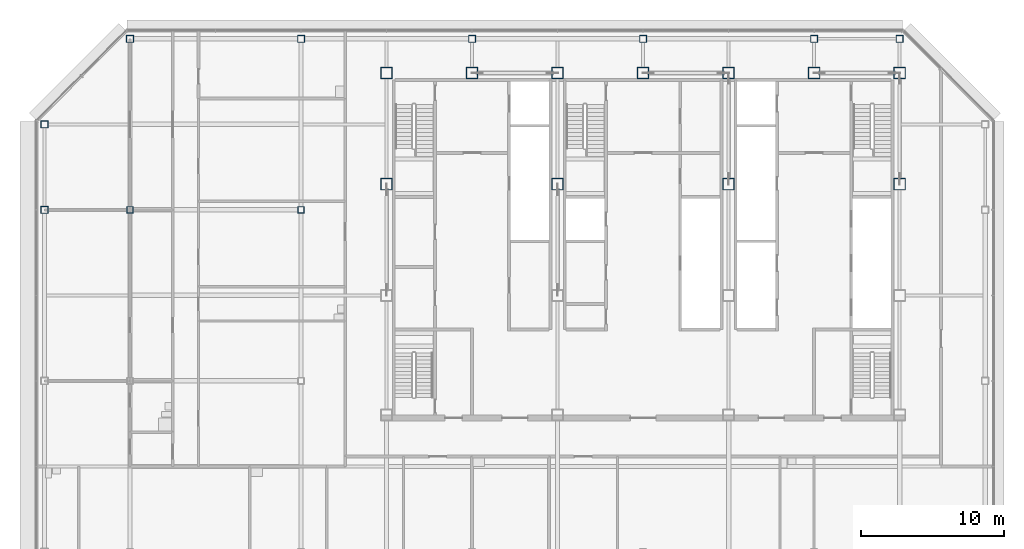
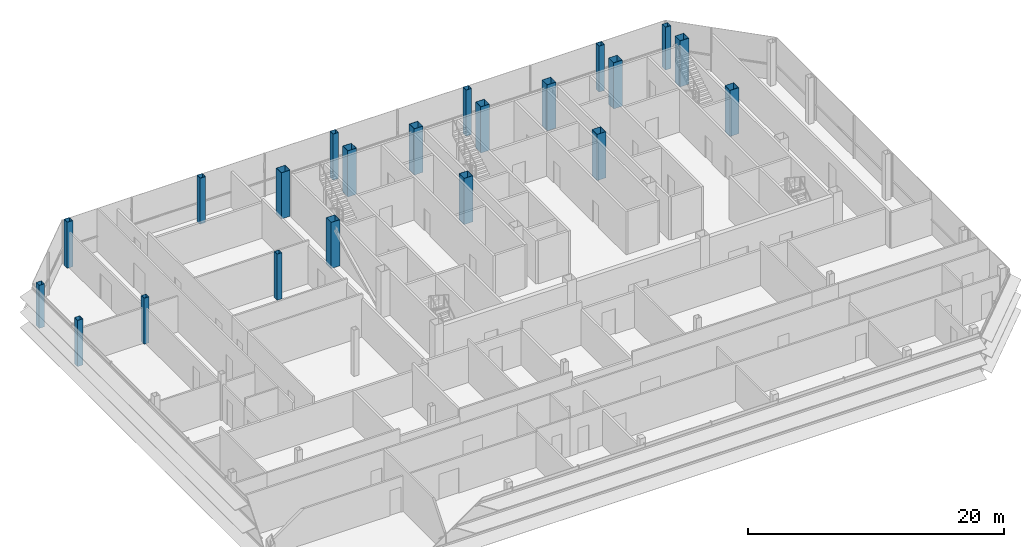
# One storey, part 2 of 29: 21 columns.
"""IFC4 building model written with IfcOpenShell, lengths in metres."""

from ifc_helpers import new_model, si_unit, direction, frame, origin, origin_2d, place, context, subcontext, project, spatial, hollow_rectangle, extrude, material, material_profile, profile_set, type_object, element, save


model = new_model("IFC4")

# Units and contexts
model_context = context("Model", 3, precision=1e-05, world=origin(), true_north=direction((0.0, 1.0)))
body_context = subcontext(model_context, "Body", "Model", "MODEL_VIEW")
ifc_project = project(units=[si_unit("LENGTHUNIT", "METRE"), si_unit("AREAUNIT", "SQUARE_METRE"), si_unit("VOLUMEUNIT", "CUBIC_METRE"), si_unit("PLANEANGLEUNIT", "RADIAN"), si_unit("MASSUNIT", "GRAM", prefix="KILO")], contexts=[model_context])

# Site, building, storey
site_placement = place(None, origin())
site = spatial("IfcSite", under=ifc_project, at=site_placement, CompositionType="ELEMENT")
building_placement = place(site_placement, origin())
building = spatial("IfcBuilding", under=site, at=building_placement, Name="Sorahane Residences", CompositionType="ELEMENT")
storey_placement = place(building_placement, frame((0.0, 0.0, 326.800048828125)))
storey = spatial("IfcBuildingStorey", under=building, at=storey_placement, Name="L78", CompositionType="ELEMENT", Elevation=326.800048828125)

# Columns
ifc_material_1 = material(Name="Steel Q355B", Category="steel")
ifc_material_profile_1 = material_profile(ifc_material_1, hollow_rectangle(XDim=0.449951171875, YDim=0.449951171875, WallThickness=0.02197265625, at=origin_2d()), Name="BOX 450x450x22")
ifc_profile_set_1 = profile_set([ifc_material_profile_1], Name="Steel Q355B")
column_type_1 = type_object("IfcColumnType", Name="Steel box column BOX 450x450x22 Q355B", PredefinedType="COLUMN", material=ifc_profile_set_1)
for number, where, z_axis, x_axis, name in (
    (1, (-12.0, 36.0, 0.0), (0.0, 0.0, 1.0), (1.0, 0.0, 0.0), "Column L78 m12/36"),
    (2, (0.0, 36.0, 0.0), (0.0, 0.0, 1.0), (1.0, 0.0, 0.0), "Column L78 0/36"),
):
    element("IfcColumn", number, at=place(storey_placement, frame(where, z_axis=z_axis, x_axis=x_axis)), inside=storey, type_object=column_type_1, Name=name, PredefinedType="COLUMN", context=body_context, shape_type="SweptSolid", body=[
        extrude(hollow_rectangle(XDim=0.449951171875, YDim=0.449951171875, WallThickness=0.02197265625, at=origin_2d()), origin(), (0.0, 0.0, 1.0), 4.39990234375),
    ])
ifc_material_2 = material(Name="Steel Q355B", Category="steel")
ifc_material_profile_2 = material_profile(ifc_material_2, hollow_rectangle(XDim=0.5, YDim=0.5, WallThickness=0.02490234375, at=origin_2d()), Name="BOX 500x500x25")
ifc_profile_set_2 = profile_set([ifc_material_profile_2], Name="Steel Q355B")
column_type_2 = type_object("IfcColumnType", Name="Steel box column BOX 500x500x25 Q355B", PredefinedType="COLUMN", material=ifc_profile_set_2)
column_1_placement = place(storey_placement, frame((-18.0, 36.0, 0.0), z_axis=(0.0, 0.0, 1.0), x_axis=(1.0, 0.0, 0.0)))
element("IfcColumn", 3, at=column_1_placement, inside=storey, type_object=column_type_2, Name="Column L78 m18/36", PredefinedType="COLUMN", context=body_context, shape_type="SweptSolid", body=[
    extrude(hollow_rectangle(XDim=0.5, YDim=0.5, WallThickness=0.02490234375, at=origin_2d()), origin(), (0.0, 0.0, 1.0), 4.39990234375),
])
column_2_placement = place(storey_placement, frame((-18.0, 42.0, 0.0), z_axis=(0.0, 0.0, 1.0), x_axis=(1.0, 0.0, 0.0)))
element("IfcColumn", 4, at=column_2_placement, inside=storey, type_object=column_type_2, Name="Column L78 m18/42", PredefinedType="COLUMN", context=body_context, shape_type="SweptSolid", body=[
    extrude(hollow_rectangle(XDim=0.5, YDim=0.5, WallThickness=0.02490234375, at=origin_2d()), origin(), (0.0, 0.0, 1.0), 4.099853515625),
])
for number, where, z_axis, x_axis, name in (
    (5, (-12.0, 48.0, 0.0), (0.0, 0.0, 1.0), (1.0, 0.0, 0.0), "Column L78 m12/48"),
    (6, (0.0, 48.0, 0.0), (0.0, 0.0, 1.0), (1.0, 0.0, 0.0), "Column L78 0/48"),
    (7, (12.0, 48.0, 0.0), (0.0, 0.0, 1.0), (1.0, 0.0, 0.0), "Column L78 12/48"),
    (8, (24.0, 48.0, 0.0), (0.0, 0.0, 1.0), (1.0, 0.0, 0.0), "Column L78 24/48"),
    (9, (36.0, 48.0, 0.0), (0.0, 0.0, 1.0), (1.0, 0.0, 0.0), "Column L78 36/48"),
):
    element("IfcColumn", number, at=place(storey_placement, frame(where, z_axis=z_axis, x_axis=x_axis)), inside=storey, type_object=column_type_2, Name=name, PredefinedType="COLUMN", context=body_context, shape_type="SweptSolid", body=[
        extrude(hollow_rectangle(XDim=0.5, YDim=0.5, WallThickness=0.02490234375, at=origin_2d()), origin(), (0.0, 0.0, 1.0), 4.39990234375),
    ])
column_3_placement = place(storey_placement, frame((42.0, 48.0, 0.0), z_axis=(0.0, 0.0, 1.0), x_axis=(1.0, 0.0, 0.0)))
element("IfcColumn", 10, at=column_3_placement, inside=storey, type_object=column_type_2, Name="Column L78 42/48", PredefinedType="COLUMN", context=body_context, shape_type="SweptSolid", body=[
    extrude(hollow_rectangle(XDim=0.5, YDim=0.5, WallThickness=0.02490234375, at=origin_2d()), origin(), (0.0, 0.0, 1.0), 4.099853515625),
])
ifc_material_3 = material(Name="Steel Q355B", Category="steel")
ifc_material_profile_3 = material_profile(ifc_material_3, hollow_rectangle(XDim=0.800048828125, YDim=0.800048828125, WallThickness=0.02490234375, at=origin_2d()), Name="BOX 800x800x25")
ifc_profile_set_3 = profile_set([ifc_material_profile_3], Name="Steel Q355B")
column_type_3 = type_object("IfcColumnType", Name="Steel box column BOX 800x800x25 Q355B", PredefinedType="COLUMN", material=ifc_profile_set_3)
for number, where, z_axis, x_axis, name in (
    (11, (6.0, 37.800048828125, 0.0), (0.0, 0.0, 1.0), (1.0, 0.0, 0.0), "Column L78 6/37.8"),
    (12, (6.0, 45.60009765625, 0.0), (0.0, 0.0, 1.0), (1.0, 0.0, 0.0), "Column L78 6/45.6"),
    (13, (12.0, 45.60009765625, 0.0), (0.0, 0.0, 1.0), (1.0, 0.0, 0.0), "Column L78 12/45.6"),
    (14, (18.0, 37.800048828125, 0.0), (0.0, 0.0, 1.0), (1.0, 0.0, 0.0), "Column L78 18/37.8"),
    (15, (18.0, 45.60009765625, 0.0), (0.0, 0.0, 1.0), (1.0, 0.0, 0.0), "Column L78 18/45.6"),
    (16, (24.0, 45.60009765625, 0.0), (0.0, 0.0, 1.0), (1.0, 0.0, 0.0), "Column L78 24/45.6"),
    (17, (30.0, 37.800048828125, 0.0), (0.0, 0.0, 1.0), (1.0, 0.0, 0.0), "Column L78 30/37.8"),
    (18, (30.0, 45.60009765625, 0.0), (0.0, 0.0, 1.0), (1.0, 0.0, 0.0), "Column L78 30/45.6"),
    (19, (36.0, 45.60009765625, 0.0), (0.0, 0.0, 1.0), (1.0, 0.0, 0.0), "Column L78 36/45.6"),
    (20, (42.0, 37.800048828125, 0.0), (0.0, 0.0, 1.0), (1.0, 0.0, 0.0), "Column L78 42/37.8"),
    (21, (42.0, 45.60009765625, 0.0), (0.0, 0.0, 1.0), (1.0, 0.0, 0.0), "Column L78 42/45.6"),
):
    element("IfcColumn", number, at=place(storey_placement, frame(where, z_axis=z_axis, x_axis=x_axis)), inside=storey, type_object=column_type_3, Name=name, PredefinedType="COLUMN", context=body_context, shape_type="SweptSolid", body=[
        extrude(hollow_rectangle(XDim=0.800048828125, YDim=0.800048828125, WallThickness=0.02490234375, at=origin_2d()), origin(), (0.0, 0.0, 1.0), 4.39990234375),
    ])

save(model, "model.ifc")
